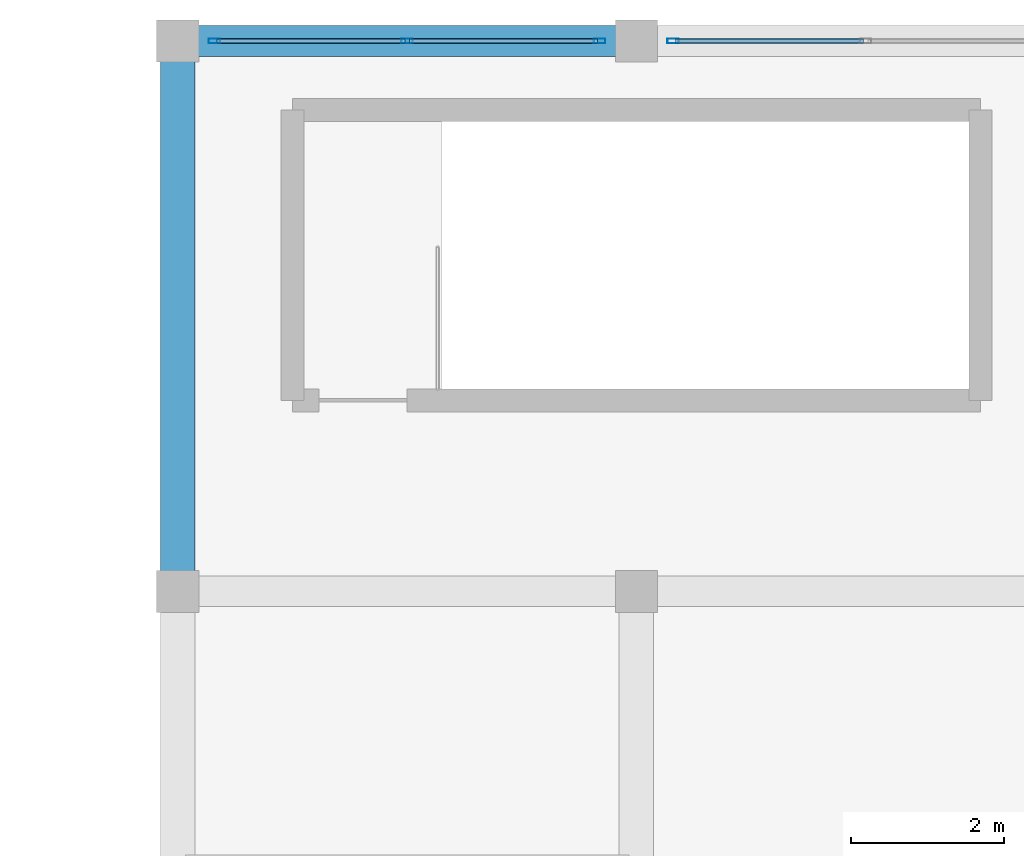
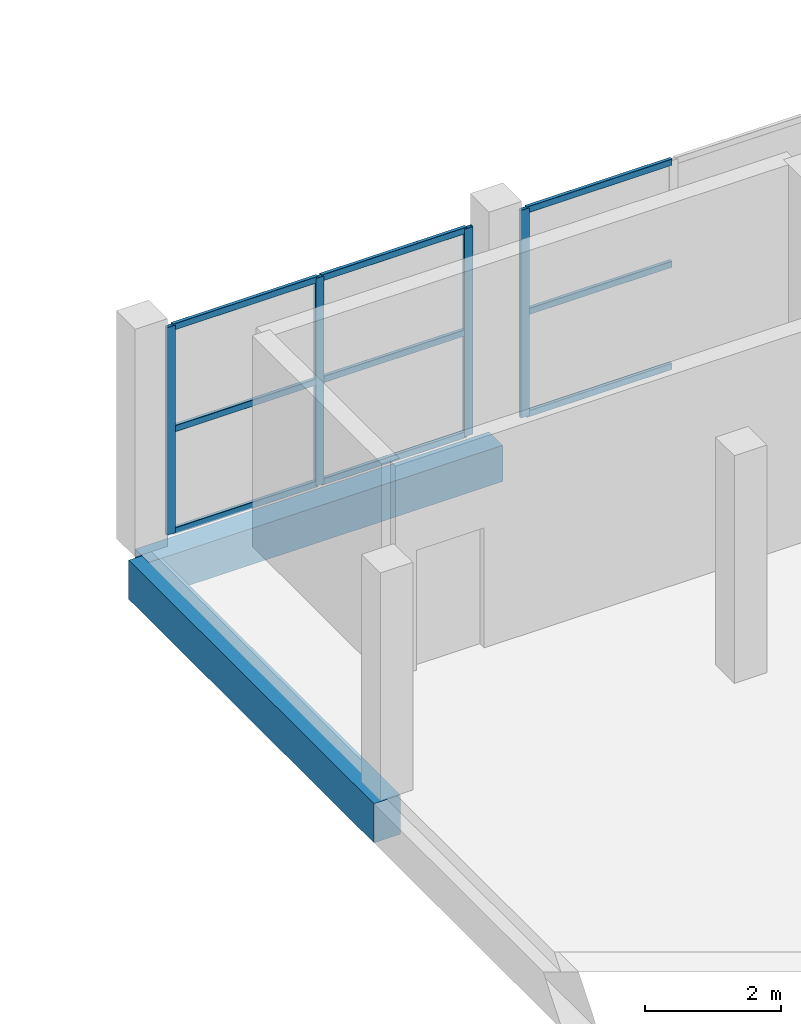
# One storey, part 52 of 127: 13 members, 2 beams, 2 elements without a shape of their own.
"""IFC4 building model written with IfcOpenShell, lengths in metres."""

from ifc_helpers import new_model, si_unit, direction, frame, origin, origin_2d, place, context, subcontext, project, spatial, rectangle, hollow_rectangle, extrude, material, layer, layer_set, material_profile, profile_set, type_object, element, aggregate, save


model = new_model("IFC4")

# Units and contexts
model_context = context("Model", 3, precision=1e-05, world=origin(), true_north=direction((0.0, 1.0)))
body_context = subcontext(model_context, "Body", "Model", "MODEL_VIEW")
ifc_project = project(units=[si_unit("LENGTHUNIT", "METRE"), si_unit("AREAUNIT", "SQUARE_METRE"), si_unit("VOLUMEUNIT", "CUBIC_METRE"), si_unit("PLANEANGLEUNIT", "RADIAN"), si_unit("MASSUNIT", "GRAM", prefix="KILO")], contexts=[model_context])

# Site, building, storey
site_placement = place(None, origin())
site = spatial("IfcSite", under=ifc_project, at=site_placement, CompositionType="ELEMENT")
building_placement = place(site_placement, origin())
building = spatial("IfcBuilding", under=site, at=building_placement, Name="Dunvalen Ferry Terminal", CompositionType="ELEMENT")
storey_placement = place(building_placement, frame((0.0, 0.0, 5.760009765625)))
storey = spatial("IfcBuildingStorey", under=building, at=storey_placement, Name="L01", CompositionType="ELEMENT", Elevation=5.760009765625)

# Curtain wall, members
ifc_material_1 = material(Name="Anodised marine aluminium and solar-control glazing", Category="aluminium")
ifc_layer = layer(ifc_material_1, 0.159912109375, Name="Anodised marine aluminium and solar-control glazing")
ifc_layer_set = layer_set([ifc_layer], Name="Anodised marine aluminium and solar-control glazing")
curtain_wall_type = type_object("IfcCurtainWallType", Name="ENV-CW-SYS-08", PredefinedType="NOTDEFINED", material=ifc_layer_set)
curtain_wall_1_placement = place(storey_placement, origin())
curtain_wall_1 = element("IfcCurtainWall", 1, at=curtain_wall_1_placement, inside=storey, type_object=curtain_wall_type, Name="L01 Curtain Wall CW-BRT1-N-L01-1", PredefinedType="NOTDEFINED")
ifc_material_2 = material(Name="Anodised marine aluminium EN AW-6063 T6", Category="aluminium")
ifc_material_profile_1 = material_profile(ifc_material_2, hollow_rectangle(XDim=0.06005859375, YDim=0.14990234375, WallThickness=0.00341796875, InnerFilletRadius=0.00341796875, OuterFilletRadius=0.007080078125, at=origin_2d()), Name="Anodised marine aluminium EN AW-6063 T6")
ifc_profile_set_1 = profile_set([ifc_material_profile_1], Name="Anodised marine aluminium EN AW-6063 T6")
member_type_1 = type_object("IfcMemberType", Name="ENV-CW-MUL-3", PredefinedType="MULLION", material=ifc_profile_set_1)
member_1_placement = place(storey_placement, frame((24.47998046875, 115.199951171875, 0.0), z_axis=(0.0, 0.0, 1.0), x_axis=(0.0, 1.0, 0.0)))
member_1 = element("IfcMember", 2, at=member_1_placement, type_object=member_type_1, Name="CW-08 mullion 1", PredefinedType="MULLION", context=body_context, shape_type="SweptSolid", body=[
    extrude(hollow_rectangle(XDim=0.06005859375, YDim=0.14990234375, WallThickness=0.00341796875, InnerFilletRadius=0.00341796875, OuterFilletRadius=0.007080078125, at=origin_2d()), origin(), (0.0, 0.0, 1.0), 3.719970703125),
])
member_2_placement = place(storey_placement, frame((27.0, 115.199951171875, 0.0), z_axis=(0.0, 0.0, 1.0), x_axis=(0.0, 1.0, 0.0)))
member_2 = element("IfcMember", 3, at=member_2_placement, type_object=member_type_1, Name="CW-08 mullion 2", PredefinedType="MULLION", context=body_context, shape_type="SweptSolid", body=[
    extrude(hollow_rectangle(XDim=0.06005859375, YDim=0.14990234375, WallThickness=0.00341796875, InnerFilletRadius=0.00341796875, OuterFilletRadius=0.007080078125, at=origin_2d()), origin(), (0.0, 0.0, 1.0), 3.719970703125),
])
member_3_placement = place(storey_placement, frame((29.52001953125, 115.199951171875, 0.0), z_axis=(0.0, 0.0, 1.0), x_axis=(0.0, 1.0, 0.0)))
member_3 = element("IfcMember", 4, at=member_3_placement, type_object=member_type_1, Name="CW-08 mullion 3", PredefinedType="MULLION", context=body_context, shape_type="SweptSolid", body=[
    extrude(hollow_rectangle(XDim=0.06005859375, YDim=0.14990234375, WallThickness=0.00341796875, InnerFilletRadius=0.00341796875, OuterFilletRadius=0.007080078125, at=origin_2d()), origin(), (0.0, 0.0, 1.0), 3.719970703125),
])

# Curtain wall, member
curtain_wall_2_placement = place(storey_placement, origin())
curtain_wall_2 = element("IfcCurtainWall", 5, at=curtain_wall_2_placement, inside=storey, type_object=curtain_wall_type, Name="L01 Curtain Wall CW-BRT1-N-L01-2", PredefinedType="NOTDEFINED")
member_4_placement = place(storey_placement, frame((30.47998046875, 115.199951171875, 0.0), z_axis=(0.0, 0.0, 1.0), x_axis=(0.0, 1.0, 0.0)))
member_4 = element("IfcMember", 6, at=member_4_placement, type_object=member_type_1, Name="CW-08 mullion 1", PredefinedType="MULLION", context=body_context, shape_type="SweptSolid", body=[
    extrude(hollow_rectangle(XDim=0.06005859375, YDim=0.14990234375, WallThickness=0.00341796875, InnerFilletRadius=0.00341796875, OuterFilletRadius=0.007080078125, at=origin_2d()), origin(), (0.0, 0.0, 1.0), 3.719970703125),
])

# Member
ifc_material_profile_2 = material_profile(ifc_material_2, hollow_rectangle(XDim=0.06005859375, YDim=0.114990234375, WallThickness=0.0029296875, InnerFilletRadius=0.0029296875, OuterFilletRadius=0.006103515625, at=origin_2d()), Name="Anodised marine aluminium EN AW-6063 T6")
ifc_profile_set_2 = profile_set([ifc_material_profile_2], Name="Anodised marine aluminium EN AW-6063 T6")
member_type_2 = type_object("IfcMemberType", Name="ENV-CW-TRN-3", PredefinedType="USERDEFINED", material=ifc_profile_set_2)
member_5_placement = place(storey_placement, frame((24.510009765625, 115.199951171875, 0.030029296875), z_axis=(1.0, 0.0, 0.0), x_axis=(0.0, 1.0, 0.0)))
member_5 = element("IfcMember", 7, at=member_5_placement, type_object=member_type_2, Name="CW-08 transom 1.1", ObjectType="TRANSOM", PredefinedType="USERDEFINED", context=body_context, shape_type="SweptSolid", body=[
    extrude(hollow_rectangle(XDim=0.06005859375, YDim=0.114990234375, WallThickness=0.0029296875, InnerFilletRadius=0.0029296875, OuterFilletRadius=0.006103515625, at=origin_2d()), origin(), (0.0, 0.0, 1.0), 2.4599609375),
])

member_6_placement = place(storey_placement, frame((24.510009765625, 115.199951171875, 1.860107421875), z_axis=(1.0, 0.0, 0.0), x_axis=(0.0, 1.0, 0.0)))
member_6 = element("IfcMember", 8, at=member_6_placement, type_object=member_type_2, Name="CW-08 transom 1.2", ObjectType="TRANSOM", PredefinedType="USERDEFINED", context=body_context, shape_type="SweptSolid", body=[
    extrude(hollow_rectangle(XDim=0.06005859375, YDim=0.114990234375, WallThickness=0.0029296875, InnerFilletRadius=0.0029296875, OuterFilletRadius=0.006103515625, at=origin_2d()), origin(), (0.0, 0.0, 1.0), 2.4599609375),
])

member_7_placement = place(storey_placement, frame((24.510009765625, 115.199951171875, 3.68994140625), z_axis=(1.0, 0.0, 0.0), x_axis=(0.0, 1.0, 0.0)))
member_7 = element("IfcMember", 9, at=member_7_placement, type_object=member_type_2, Name="CW-08 transom 1.3", ObjectType="TRANSOM", PredefinedType="USERDEFINED", context=body_context, shape_type="SweptSolid", body=[
    extrude(hollow_rectangle(XDim=0.06005859375, YDim=0.114990234375, WallThickness=0.0029296875, InnerFilletRadius=0.0029296875, OuterFilletRadius=0.006103515625, at=origin_2d()), origin(), (0.0, 0.0, 1.0), 2.4599609375),
])

member_8_placement = place(storey_placement, frame((27.030029296875, 115.199951171875, 0.030029296875), z_axis=(1.0, 0.0, 0.0), x_axis=(0.0, 1.0, 0.0)))
member_8 = element("IfcMember", 10, at=member_8_placement, type_object=member_type_2, Name="CW-08 transom 2.1", ObjectType="TRANSOM", PredefinedType="USERDEFINED", context=body_context, shape_type="SweptSolid", body=[
    extrude(hollow_rectangle(XDim=0.06005859375, YDim=0.114990234375, WallThickness=0.0029296875, InnerFilletRadius=0.0029296875, OuterFilletRadius=0.006103515625, at=origin_2d()), origin(), (0.0, 0.0, 1.0), 2.4599609375),
])

member_9_placement = place(storey_placement, frame((27.030029296875, 115.199951171875, 1.860107421875), z_axis=(1.0, 0.0, 0.0), x_axis=(0.0, 1.0, 0.0)))
member_9 = element("IfcMember", 11, at=member_9_placement, type_object=member_type_2, Name="CW-08 transom 2.2", ObjectType="TRANSOM", PredefinedType="USERDEFINED", context=body_context, shape_type="SweptSolid", body=[
    extrude(hollow_rectangle(XDim=0.06005859375, YDim=0.114990234375, WallThickness=0.0029296875, InnerFilletRadius=0.0029296875, OuterFilletRadius=0.006103515625, at=origin_2d()), origin(), (0.0, 0.0, 1.0), 2.4599609375),
])

member_10_placement = place(storey_placement, frame((27.030029296875, 115.199951171875, 3.68994140625), z_axis=(1.0, 0.0, 0.0), x_axis=(0.0, 1.0, 0.0)))
member_10 = element("IfcMember", 12, at=member_10_placement, type_object=member_type_2, Name="CW-08 transom 2.3", ObjectType="TRANSOM", PredefinedType="USERDEFINED", context=body_context, shape_type="SweptSolid", body=[
    extrude(hollow_rectangle(XDim=0.06005859375, YDim=0.114990234375, WallThickness=0.0029296875, InnerFilletRadius=0.0029296875, OuterFilletRadius=0.006103515625, at=origin_2d()), origin(), (0.0, 0.0, 1.0), 2.4599609375),
])

aggregate(curtain_wall_1, [member_1, member_2, member_3, member_5, member_6, member_7, member_8, member_9, member_10])

member_11_placement = place(storey_placement, frame((30.510009765625, 115.199951171875, 0.030029296875), z_axis=(1.0, 0.0, 0.0), x_axis=(0.0, 1.0, 0.0)))
member_11 = element("IfcMember", 13, at=member_11_placement, type_object=member_type_2, Name="CW-08 transom 1.1", ObjectType="TRANSOM", PredefinedType="USERDEFINED", context=body_context, shape_type="SweptSolid", body=[
    extrude(hollow_rectangle(XDim=0.06005859375, YDim=0.114990234375, WallThickness=0.0029296875, InnerFilletRadius=0.0029296875, OuterFilletRadius=0.006103515625, at=origin_2d()), origin(), (0.0, 0.0, 1.0), 2.4599609375),
])

member_12_placement = place(storey_placement, frame((30.510009765625, 115.199951171875, 1.860107421875), z_axis=(1.0, 0.0, 0.0), x_axis=(0.0, 1.0, 0.0)))
member_12 = element("IfcMember", 14, at=member_12_placement, type_object=member_type_2, Name="CW-08 transom 1.2", ObjectType="TRANSOM", PredefinedType="USERDEFINED", context=body_context, shape_type="SweptSolid", body=[
    extrude(hollow_rectangle(XDim=0.06005859375, YDim=0.114990234375, WallThickness=0.0029296875, InnerFilletRadius=0.0029296875, OuterFilletRadius=0.006103515625, at=origin_2d()), origin(), (0.0, 0.0, 1.0), 2.4599609375),
])

member_13_placement = place(storey_placement, frame((30.510009765625, 115.199951171875, 3.68994140625), z_axis=(1.0, 0.0, 0.0), x_axis=(0.0, 1.0, 0.0)))
member_13 = element("IfcMember", 15, at=member_13_placement, type_object=member_type_2, Name="CW-08 transom 1.3", ObjectType="TRANSOM", PredefinedType="USERDEFINED", context=body_context, shape_type="SweptSolid", body=[
    extrude(hollow_rectangle(XDim=0.06005859375, YDim=0.114990234375, WallThickness=0.0029296875, InnerFilletRadius=0.0029296875, OuterFilletRadius=0.006103515625, at=origin_2d()), origin(), (0.0, 0.0, 1.0), 2.4599609375),
])

aggregate(curtain_wall_2, [member_4, member_11, member_12, member_13])

# Beams
ifc_material_3 = material(Name="Concrete C40/50", Category="concrete")
ifc_material_profile_3 = material_profile(ifc_material_3, rectangle(XDim=0.39990234375, YDim=0.64990234375, at=origin_2d()), Name="Concrete C40/50")
ifc_profile_set_3 = profile_set([ifc_material_profile_3], Name="Concrete C40/50")
beam_type_1 = type_object("IfcBeamType", Name="STR-BM-RCB650", PredefinedType="BEAM", material=ifc_profile_set_3)
beam_1_placement = place(storey_placement, frame((24.0, 115.199951171875, -0.56494140625), z_axis=(1.0, 0.0, 0.0), x_axis=(0.0, 1.0, 0.0)))
element("IfcBeam", 16, at=beam_1_placement, inside=storey, type_object=beam_type_1, Name="L01 V3B1 Primary Beam X-009", PredefinedType="BEAM", context=body_context, shape_type="SweptSolid", body=[
    extrude(rectangle(XDim=0.39990234375, YDim=0.64990234375, at=origin_2d()), origin(), (0.0, 0.0, 1.0), 6.0),
])
ifc_material_profile_4 = material_profile(ifc_material_3, rectangle(XDim=0.449951171875, YDim=0.699951171875, at=origin_2d()), Name="Concrete C40/50")
ifc_profile_set_4 = profile_set([ifc_material_profile_4], Name="Concrete C40/50")
beam_type_2 = type_object("IfcBeamType", Name="STR-BM-RCB700", PredefinedType="BEAM", material=ifc_profile_set_4)
beam_2_placement = place(storey_placement, frame((24.0, 108.0, -0.590087890625), z_axis=(0.0, 1.0, 0.0), x_axis=(-1.0, 0.0, 0.0)))
element("IfcBeam", 17, at=beam_2_placement, inside=storey, type_object=beam_type_2, Name="L01 V3B1 Primary Girder Y-014", PredefinedType="BEAM", context=body_context, shape_type="SweptSolid", body=[
    extrude(rectangle(XDim=0.449951171875, YDim=0.699951171875, at=origin_2d()), origin(), (0.0, 0.0, 1.0), 7.199951171875),
])

save(model, "model.ifc")
